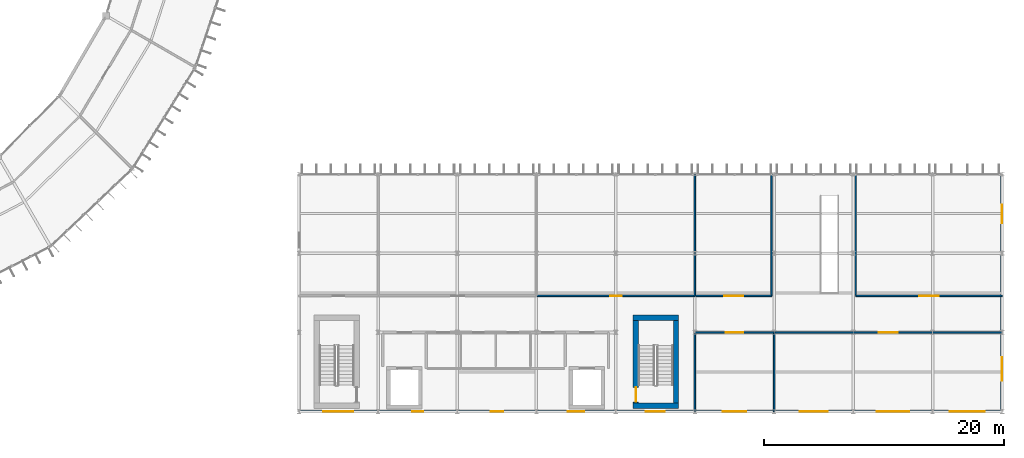
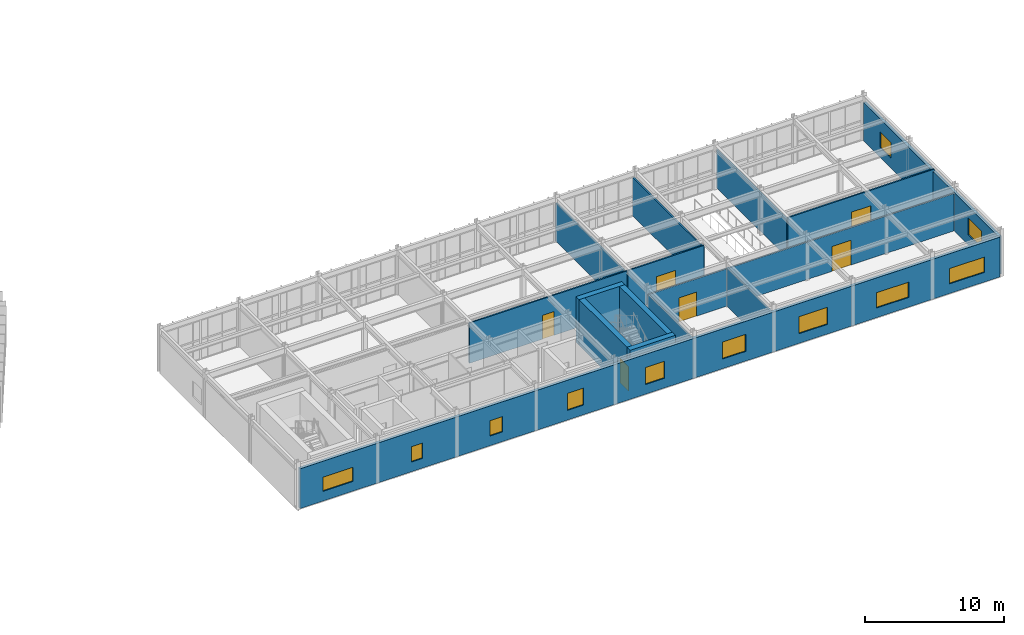
# One storey, part 117 of 130: 16 walls, 11 windows, 6 doors, 17 openings.
"""IFC4 building model written with IfcOpenShell, lengths in metres."""

from ifc_helpers import new_model, si_unit, direction, frame, frame_2d, origin, place, context, subcontext, project, spatial, rectangle, extrude, material, layer, layer_set, type_object, element, fill, save


model = new_model("IFC4")

# Units and contexts
model_context = context("Model", 3, precision=1e-05, world=origin(), true_north=direction((0.0, 1.0)))
body_context = subcontext(model_context, "Body", "Model", "MODEL_VIEW")
ifc_project = project(units=[si_unit("LENGTHUNIT", "METRE"), si_unit("AREAUNIT", "SQUARE_METRE"), si_unit("VOLUMEUNIT", "CUBIC_METRE"), si_unit("PLANEANGLEUNIT", "RADIAN"), si_unit("MASSUNIT", "GRAM", prefix="KILO")], contexts=[model_context])

# Site, building, storey
site_placement = place(None, origin())
site = spatial("IfcSite", under=ifc_project, at=site_placement, CompositionType="ELEMENT")
building_placement = place(site_placement, origin())
building = spatial("IfcBuilding", under=site, at=building_placement, Name="Karori Crest Natural Sciences Institute", CompositionType="ELEMENT")
storey_placement = place(building_placement, frame((0.0, 0.0, 17.5)))
storey = spatial("IfcBuildingStorey", under=building, at=storey_placement, Name="L04", CompositionType="ELEMENT", Elevation=17.5)

# Walls
ifc_material_1 = material(Name="Concrete 50 MPa", Category="concrete")
ifc_layer_1 = layer(ifc_material_1, 0.449951171875, Name="Concrete 50 MPa")
ifc_layer_set_1 = layer_set([ifc_layer_1], Name="Concrete 50 MPa")
wall_type_1 = type_object("IfcWallType", Name="IWT-01", PredefinedType="SHEAR", material=ifc_layer_set_1)
for number, where, z_axis, x_axis, name in (
    (1, (131.449951171875, 1.27490234375, 0.0), (0.0, 0.0, 1.0), (1.0, 0.0, 0.0), "Shear wall IW-0137"),
    (2, (131.449951171875, 8.625, 0.0), (0.0, 0.0, 1.0), (1.0, 0.0, 0.0), "Shear wall IW-0138"),
):
    element("IfcWall", number, at=place(storey_placement, frame(where, z_axis=z_axis, x_axis=x_axis)), inside=storey, type_object=wall_type_1, Name=name, PredefinedType="SHEAR", context=body_context, shape_type="SweptSolid", body=[
        extrude(rectangle(XDim=3.800048828125, YDim=0.449951171875, at=frame_2d((1.89990234375, 0.0))), origin(), (0.0, 0.0, 1.0), 4.02001953125),
    ])

# Wall, opening, door
wall_1_placement = place(storey_placement, frame((131.675048828125, 1.501953125, 0.0), z_axis=(0.0, 0.0, 1.0), x_axis=(0.0, 1.0, 0.0)))
wall_1 = element("IfcWall", 3, at=wall_1_placement, inside=storey, type_object=wall_type_1, Name="Shear wall IW-0139", PredefinedType="SHEAR", context=body_context, shape_type="SweptSolid", body=[
    extrude(rectangle(XDim=6.89599609375, YDim=0.449951171875, at=frame_2d((3.447998046875, 0.0))), origin(), (0.0, 0.0, 1.0), 4.02001953125),
])
opening_1_placement = place(wall_1_placement, frame((0.1201171875, 0.0, 0.0)))
opening_1 = element("IfcOpeningElement", 4, at=opening_1_placement, cuts=wall_1, Name="Opening ID-0035", PredefinedType="OPENING", context=body_context, shape_type="SweptSolid", body=[
    extrude(rectangle(XDim=1.199951171875, YDim=2.14990234375, at=frame_2d((0.60009765625, 1.074951171875))), frame((0.0, 0.23486328125, 0.0), z_axis=(0.0, -1.0, 0.0), x_axis=(1.0, 0.0, 0.0)), (0.0, 0.0, 1.0), 0.469970703125),
])
ifc_material_2 = material(Name="Stainless steel 316 and fire-rated timber", Category="steel")
door_type_1 = type_object("IfcDoorType", Name="IDT-01", OperationType="NOTDEFINED", PredefinedType="DOOR", material=ifc_material_2)
door_1_placement = place(opening_1_placement, origin())
door_1 = element("IfcDoor", 5, at=door_1_placement, inside=storey, type_object=door_type_1, Name="Stair ST-04 fire door ID-0035", OperationType="SINGLE_SWING_LEFT", OverallHeight=2.14990234375, OverallWidth=1.199951171875, PredefinedType="DOOR", context=body_context, shape_type="SweptSolid", body=[
    extrude(rectangle(XDim=1.199951171875, YDim=2.14990234375, at=frame_2d((0.60009765625, 1.074951171875))), frame((0.0, 0.02490234375, 0.0), z_axis=(0.0, -1.0, 0.0), x_axis=(1.0, 0.0, 0.0)), (0.0, 0.0, 1.0), 0.050048828125),
])
fill(opening_1, door_1)

# Wall
wall_2_placement = place(storey_placement, frame((135.02490234375, 1.501953125, 0.0), z_axis=(0.0, 0.0, 1.0), x_axis=(0.0, 1.0, 0.0)))
element("IfcWall", 6, at=wall_2_placement, inside=storey, type_object=wall_type_1, Name="Shear wall IW-0140", PredefinedType="SHEAR", context=body_context, shape_type="SweptSolid", body=[
    extrude(rectangle(XDim=6.89599609375, YDim=0.449951171875, at=frame_2d((3.447998046875, 0.0))), origin(), (0.0, 0.0, 1.0), 4.02001953125),
])

# Wall, opening, door
ifc_material_3 = material(Name="Write-up office acoustic partition")
ifc_layer_2 = layer(ifc_material_3, 0.1201171875, Name="Write-up office acoustic partition")
ifc_layer_set_2 = layer_set([ifc_layer_2], Name="Write-up office acoustic partition")
wall_type_2 = type_object("IfcWallType", Name="IWT-08", PredefinedType="PARTITIONING", material=ifc_layer_set_2)
wall_3_placement = place(storey_placement, frame((136.60009765625, 7.39990234375, 0.0), z_axis=(0.0, 0.0, 1.0), x_axis=(1.0, 0.0, 0.0)))
wall_3 = element("IfcWall", 7, at=wall_3_placement, inside=storey, type_object=wall_type_2, Name="Partition wall IW-0708", PredefinedType="PARTITIONING", context=body_context, shape_type="SweptSolid", body=[
    extrude(rectangle(XDim=6.599853515625, YDim=0.1201171875, at=frame_2d((3.2998046875, 0.0))), origin(), (0.0, 0.0, 1.0), 3.29296875),
])
opening_2_placement = place(wall_3_placement, frame((2.574951171875, 0.0, 0.0)))
opening_2 = element("IfcOpeningElement", 8, at=opening_2_placement, cuts=wall_3, Name="Opening ID-0142", PredefinedType="OPENING", context=body_context, shape_type="SweptSolid", body=[
    extrude(rectangle(XDim=1.449951171875, YDim=2.1201171875, at=frame_2d((0.72509765625, 1.06005859375))), frame((0.0, 0.070068359375, 0.0), z_axis=(0.0, -1.0, 0.0), x_axis=(1.0, 0.0, 0.0)), (0.0, 0.0, 1.0), 0.14013671875),
])
ifc_material_4 = material(Name="Anodised aluminium and acoustic timber", Category="wood")
door_type_2 = type_object("IfcDoorType", Name="IDT-11", OperationType="DOUBLE_DOOR_SINGLE_SWING", PredefinedType="DOOR", material=ifc_material_4)
door_2_placement = place(opening_2_placement, origin())
door_2 = element("IfcDoor", 9, at=door_2_placement, inside=storey, type_object=door_type_2, Name="Seminar Room door ID-0142", OperationType="DOUBLE_DOOR_SINGLE_SWING", OverallHeight=2.1201171875, OverallWidth=1.449951171875, PredefinedType="DOOR", context=body_context, shape_type="SweptSolid", body=[
    extrude(rectangle(XDim=1.449951171875, YDim=2.1201171875, at=frame_2d((0.72509765625, 1.06005859375))), frame((0.0, 0.02490234375, 0.0), z_axis=(0.0, -1.0, 0.0), x_axis=(1.0, 0.0, 0.0)), (0.0, 0.0, 1.0), 0.050048828125),
])
fill(opening_2, door_2)

# Walls
wall_4_placement = place(storey_placement, frame((136.60009765625, 0.800048828125, 0.0), z_axis=(0.0, 0.0, 1.0), x_axis=(0.0, 1.0, 0.0)))
element("IfcWall", 10, at=wall_4_placement, inside=storey, type_object=wall_type_2, Name="Partition wall IW-0709", PredefinedType="PARTITIONING", context=body_context, shape_type="SweptSolid", body=[
    extrude(rectangle(XDim=6.537841796875, YDim=0.1201171875, at=frame_2d((3.26904296875, 0.0))), origin(), (0.0, 0.0, 1.0), 3.3720703125),
])
wall_5_placement = place(storey_placement, frame((143.199951171875, 0.800048828125, 0.0), z_axis=(0.0, 0.0, 1.0), x_axis=(0.0, 1.0, 0.0)))
element("IfcWall", 11, at=wall_5_placement, inside=storey, type_object=wall_type_2, Name="Partition wall IW-0710", PredefinedType="PARTITIONING", context=body_context, shape_type="SweptSolid", body=[
    extrude(rectangle(XDim=6.599853515625, YDim=0.1201171875, at=frame_2d((3.2998046875, 0.0))), origin(), (0.0, 0.0, 1.0), 3.3720703125),
])

# Wall, opening, door
wall_6_placement = place(storey_placement, frame((143.201904296875, 7.39990234375, 0.0), z_axis=(0.0, 0.0, 1.0), x_axis=(1.0, 0.0, 0.0)))
wall_6 = element("IfcWall", 12, at=wall_6_placement, inside=storey, type_object=wall_type_2, Name="Partition wall IW-0711", PredefinedType="PARTITIONING", context=body_context, shape_type="SweptSolid", body=[
    extrude(rectangle(XDim=18.998046875, YDim=0.1201171875, at=frame_2d((9.4990234375, 0.0))), origin(), (0.0, 0.0, 1.0), 3.29296875),
])
opening_3_placement = place(wall_6_placement, frame((8.698974609375, 0.0, 0.0)))
opening_3 = element("IfcOpeningElement", 13, at=opening_3_placement, cuts=wall_6, Name="Opening ID-0143", PredefinedType="OPENING", context=body_context, shape_type="SweptSolid", body=[
    extrude(rectangle(XDim=1.60009765625, YDim=2.179931640625, at=frame_2d((0.800048828125, 1.08984375))), frame((0.0, 0.070068359375, 0.0), z_axis=(0.0, -1.0, 0.0), x_axis=(1.0, 0.0, 0.0)), (0.0, 0.0, 1.0), 0.14013671875),
])
door_type_3 = type_object("IfcDoorType", Name="IDT-13", OperationType="DOUBLE_DOOR_SINGLE_SWING", PredefinedType="DOOR", material=ifc_material_4)
door_3_placement = place(opening_3_placement, origin())
door_3 = element("IfcDoor", 14, at=door_3_placement, inside=storey, type_object=door_type_3, Name="Research Library Reading Room door ID-0143", OperationType="DOUBLE_DOOR_SINGLE_SWING", OverallHeight=2.179931640625, OverallWidth=1.60009765625, PredefinedType="DOOR", context=body_context, shape_type="SweptSolid", body=[
    extrude(rectangle(XDim=1.60009765625, YDim=2.179931640625, at=frame_2d((0.800048828125, 1.08984375))), frame((0.0, 0.02490234375, 0.0), z_axis=(0.0, -1.0, 0.0), x_axis=(1.0, 0.0, 0.0)), (0.0, 0.0, 1.0), 0.050048828125),
])
fill(opening_3, door_3)

wall_7_placement = place(storey_placement, frame((123.4619140625, 10.449951171875, 0.0), z_axis=(0.0, 0.0, 1.0), x_axis=(1.0, 0.0, 0.0)))
wall_7 = element("IfcWall", 15, at=wall_7_placement, inside=storey, type_object=wall_type_2, Name="Partition wall IW-0716", PredefinedType="PARTITIONING", context=body_context, shape_type="SweptSolid", body=[
    extrude(rectangle(XDim=13.13818359375, YDim=0.1201171875, at=frame_2d((6.569091796875, 0.0))), origin(), (0.0, 0.0, 1.0), 3.5458984375),
])
opening_4_placement = place(wall_7_placement, frame((6.093994140625, 0.0, 0.0)))
opening_4 = element("IfcOpeningElement", 16, at=opening_4_placement, cuts=wall_7, Name="Opening ID-0146", PredefinedType="OPENING", context=body_context, shape_type="SweptSolid", body=[
    extrude(rectangle(XDim=0.949951171875, YDim=2.10009765625, at=frame_2d((0.47509765625, 1.050048828125))), frame((0.0, 0.070068359375, 0.0), z_axis=(0.0, -1.0, 0.0), x_axis=(1.0, 0.0, 0.0)), (0.0, 0.0, 1.0), 0.14013671875),
])
door_type_4 = type_object("IfcDoorType", Name="IDT-08", OperationType="NOTDEFINED", PredefinedType="DOOR", material=ifc_material_4)
door_4_placement = place(opening_4_placement, origin())
door_4 = element("IfcDoor", 17, at=door_4_placement, inside=storey, type_object=door_type_4, Name="Bioinformatics Studio door ID-0146", OperationType="SINGLE_SWING_RIGHT", OverallHeight=2.10009765625, OverallWidth=0.949951171875, PredefinedType="DOOR", context=body_context, shape_type="SweptSolid", body=[
    extrude(rectangle(XDim=0.949951171875, YDim=2.10009765625, at=frame_2d((0.47509765625, 1.050048828125))), frame((0.0, 0.02490234375, 0.0), z_axis=(0.0, -1.0, 0.0), x_axis=(1.0, 0.0, 0.0)), (0.0, 0.0, 1.0), 0.050048828125),
])
fill(opening_4, door_4)

# Wall
wall_8_placement = place(storey_placement, frame((136.60009765625, 10.449951171875, 0.0), z_axis=(0.0, 0.0, 1.0), x_axis=(0.0, 1.0, 0.0)))
element("IfcWall", 18, at=wall_8_placement, inside=storey, type_object=wall_type_2, Name="Partition wall IW-0717", PredefinedType="PARTITIONING", context=body_context, shape_type="SweptSolid", body=[
    extrude(rectangle(XDim=10.150146484375, YDim=0.1201171875, at=frame_2d((5.0751953125, 0.0))), origin(), (0.0, 0.0, 1.0), 3.3720703125),
])

# Wall, opening, door
wall_9_placement = place(storey_placement, frame((136.662109375, 10.449951171875, 0.0), z_axis=(0.0, 0.0, 1.0), x_axis=(1.0, 0.0, 0.0)))
wall_9 = element("IfcWall", 19, at=wall_9_placement, inside=storey, type_object=wall_type_2, Name="Partition wall IW-0718", PredefinedType="PARTITIONING", context=body_context, shape_type="SweptSolid", body=[
    extrude(rectangle(XDim=6.337890625, YDim=0.1201171875, at=frame_2d((3.1689453125, 0.0))), origin(), (0.0, 0.0, 1.0), 3.5458984375),
])
opening_5_placement = place(wall_9_placement, frame((2.368896484375, 0.0, 0.0)))
opening_5 = element("IfcOpeningElement", 20, at=opening_5_placement, cuts=wall_9, Name="Opening ID-0147", PredefinedType="OPENING", context=body_context, shape_type="SweptSolid", body=[
    extrude(rectangle(XDim=1.60009765625, YDim=2.179931640625, at=frame_2d((0.800048828125, 1.08984375))), frame((0.0, 0.070068359375, 0.0), z_axis=(0.0, -1.0, 0.0), x_axis=(1.0, 0.0, 0.0)), (0.0, 0.0, 1.0), 0.14013671875),
])
door_5_placement = place(opening_5_placement, origin())
door_5 = element("IfcDoor", 21, at=door_5_placement, inside=storey, type_object=door_type_3, Name="Seminar Room door ID-0147", OperationType="DOUBLE_DOOR_SINGLE_SWING", OverallHeight=2.179931640625, OverallWidth=1.60009765625, PredefinedType="DOOR", context=body_context, shape_type="SweptSolid", body=[
    extrude(rectangle(XDim=1.60009765625, YDim=2.179931640625, at=frame_2d((0.800048828125, 1.08984375))), frame((0.0, 0.02490234375, 0.0), z_axis=(0.0, -1.0, 0.0), x_axis=(1.0, 0.0, 0.0)), (0.0, 0.0, 1.0), 0.050048828125),
])
fill(opening_5, door_5)

# Wall
wall_10_placement = place(storey_placement, frame((143.0, 10.449951171875, 0.0), z_axis=(0.0, 0.0, 1.0), x_axis=(0.0, 1.0, 0.0)))
element("IfcWall", 22, at=wall_10_placement, inside=storey, type_object=wall_type_2, Name="Partition wall IW-0719", PredefinedType="PARTITIONING", context=body_context, shape_type="SweptSolid", body=[
    extrude(rectangle(XDim=10.150146484375, YDim=0.1201171875, at=frame_2d((5.0751953125, 0.0))), origin(), (0.0, 0.0, 1.0), 3.3720703125),
])

# Wall, opening, door
wall_11_placement = place(storey_placement, frame((150.0, 10.449951171875, 0.0), z_axis=(0.0, 0.0, 1.0), x_axis=(1.0, 0.0, 0.0)))
wall_11 = element("IfcWall", 23, at=wall_11_placement, inside=storey, type_object=wall_type_2, Name="Partition wall IW-0720", PredefinedType="PARTITIONING", context=body_context, shape_type="SweptSolid", body=[
    extrude(rectangle(XDim=12.199951171875, YDim=0.1201171875, at=frame_2d((6.10009765625, 0.0))), origin(), (0.0, 0.0, 1.0), 3.5458984375),
])
opening_6_placement = place(wall_11_placement, frame((5.300048828125, 0.0, 0.0)))
opening_6 = element("IfcOpeningElement", 24, at=opening_6_placement, cuts=wall_11, Name="Opening ID-0148", PredefinedType="OPENING", context=body_context, shape_type="SweptSolid", body=[
    extrude(rectangle(XDim=1.60009765625, YDim=2.179931640625, at=frame_2d((0.800048828125, 1.08984375))), frame((0.0, 0.070068359375, 0.0), z_axis=(0.0, -1.0, 0.0), x_axis=(1.0, 0.0, 0.0)), (0.0, 0.0, 1.0), 0.14013671875),
])
door_6_placement = place(opening_6_placement, origin())
door_6 = element("IfcDoor", 25, at=door_6_placement, inside=storey, type_object=door_type_3, Name="Seminar Room door ID-0148", OperationType="DOUBLE_DOOR_SINGLE_SWING", OverallHeight=2.179931640625, OverallWidth=1.60009765625, PredefinedType="DOOR", context=body_context, shape_type="SweptSolid", body=[
    extrude(rectangle(XDim=1.60009765625, YDim=2.179931640625, at=frame_2d((0.800048828125, 1.08984375))), frame((0.0, 0.02490234375, 0.0), z_axis=(0.0, -1.0, 0.0), x_axis=(1.0, 0.0, 0.0)), (0.0, 0.0, 1.0), 0.050048828125),
])
fill(opening_6, door_6)

# Wall
wall_12_placement = place(storey_placement, frame((150.0, 10.511962890625, 0.0), z_axis=(0.0, 0.0, 1.0), x_axis=(0.0, 1.0, 0.0)))
element("IfcWall", 26, at=wall_12_placement, inside=storey, type_object=wall_type_2, Name="Partition wall IW-0721", PredefinedType="PARTITIONING", context=body_context, shape_type="SweptSolid", body=[
    extrude(rectangle(XDim=10.088134765625, YDim=0.1201171875, at=frame_2d((5.0439453125, 0.0))), origin(), (0.0, 0.0, 1.0), 3.3720703125),
])

# Wall, openings, windows
ifc_material_5 = material(Name="Precast concrete 40 MPa", Category="concrete")
ifc_layer_3 = layer(ifc_material_5, 0.239990234375, Name="Precast concrete 40 MPa")
ifc_layer_set_3 = layer_set([ifc_layer_3], Name="Precast concrete 40 MPa")
wall_type_3 = type_object("IfcWallType", Name="WT-04", PredefinedType="SOLIDWALL", material=ifc_layer_set_3)
wall_13_placement = place(storey_placement, frame((162.199951171875, 20.4384765625, 0.0), z_axis=(0.0, 0.0, 1.0), x_axis=(0.0, -1.0, 0.0)))
wall_13 = element("IfcWall", 27, at=wall_13_placement, inside=storey, type_object=wall_type_3, Name="Exterior wall EW-0207", PredefinedType="SOLIDWALL", context=body_context, shape_type="SweptSolid", body=[
    extrude(rectangle(XDim=19.47705078125, YDim=0.239990234375, at=frame_2d((9.738525390625, 0.0))), origin(), (0.0, 0.0, 1.0), 3.3720703125),
])
opening_7_placement = place(wall_13_placement, frame((2.39990234375, 0.0, 0.85009765625)))
opening_7 = element("IfcOpeningElement", 28, at=opening_7_placement, cuts=wall_13, Name="Opening WN-0169", PredefinedType="OPENING", context=body_context, shape_type="SweptSolid", body=[
    extrude(rectangle(XDim=1.550048828125, YDim=1.39990234375, at=frame_2d((0.77490234375, 0.699951171875))), frame((0.0, 0.1298828125, 0.0), z_axis=(0.0, -1.0, 0.0), x_axis=(1.0, 0.0, 0.0)), (0.0, 0.0, 1.0), 0.260009765625),
])
opening_8_placement = place(wall_13_placement, frame((15.10009765625, 0.0, 0.85009765625)))
opening_8 = element("IfcOpeningElement", 29, at=opening_8_placement, cuts=wall_13, Name="Opening WN-0170", PredefinedType="OPENING", context=body_context, shape_type="SweptSolid", body=[
    extrude(rectangle(XDim=1.949951171875, YDim=1.5, at=frame_2d((0.97509765625, 0.75))), frame((0.0, 0.1298828125, 0.0), z_axis=(0.0, -1.0, 0.0), x_axis=(1.0, 0.0, 0.0)), (0.0, 0.0, 1.0), 0.260009765625),
])
ifc_material_6 = material(Name="Double low-E laminated glass", Category="glass")
window_type_1 = type_object("IfcWindowType", Name="WNT-04", PartitioningType="SINGLE_PANEL", PredefinedType="WINDOW", material=ifc_material_6)
window_1_placement = place(opening_7_placement, origin())
window_1 = element("IfcWindow", 30, at=window_1_placement, inside=storey, type_object=window_type_1, Name="Window WN-0169", OverallHeight=1.39990234375, OverallWidth=1.550048828125, PartitioningType="SINGLE_PANEL", PredefinedType="WINDOW", context=body_context, shape_type="SweptSolid", body=[
    extrude(rectangle(XDim=1.550048828125, YDim=1.39990234375, at=frame_2d((0.77490234375, 0.699951171875))), frame((0.0, 0.030029296875, 0.0), z_axis=(0.0, -1.0, 0.0), x_axis=(1.0, 0.0, 0.0)), (0.0, 0.0, 1.0), 0.06005859375),
])
fill(opening_7, window_1)
window_type_2 = type_object("IfcWindowType", Name="WNT-21", PartitioningType="SINGLE_PANEL", PredefinedType="WINDOW", material=ifc_material_6)
window_2_placement = place(opening_8_placement, origin())
window_2 = element("IfcWindow", 31, at=window_2_placement, inside=storey, type_object=window_type_2, Name="Window WN-0170", OverallHeight=1.5, OverallWidth=1.949951171875, PartitioningType="SINGLE_PANEL", PredefinedType="WINDOW", context=body_context, shape_type="SweptSolid", body=[
    extrude(rectangle(XDim=1.949951171875, YDim=1.5, at=frame_2d((0.97509765625, 0.75))), frame((0.0, 0.030029296875, 0.0), z_axis=(0.0, -1.0, 0.0), x_axis=(1.0, 0.0, 0.0)), (0.0, 0.0, 1.0), 0.06005859375),
])
fill(opening_8, window_2)

wall_14_placement = place(storey_placement, frame((162.04638671875, 0.800048828125, 0.0), z_axis=(0.0, 0.0, 1.0), x_axis=(-1.0, 0.0, 0.0)))
wall_14 = element("IfcWall", 32, at=wall_14_placement, inside=storey, type_object=wall_type_3, Name="Exterior wall EW-0208", PredefinedType="SOLIDWALL", context=body_context, shape_type="SweptSolid", body=[
    extrude(rectangle(XDim=58.29296875, YDim=0.239990234375, at=frame_2d((29.146484375, 0.0))), origin(), (0.0, 0.0, 1.0), 3.5048828125),
])
opening_9_placement = place(wall_14_placement, frame((53.896484375, 0.0, 0.85009765625)))
opening_9 = element("IfcOpeningElement", 33, at=opening_9_placement, cuts=wall_14, Name="Opening WN-0171", PredefinedType="OPENING", context=body_context, shape_type="SweptSolid", body=[
    extrude(rectangle(XDim=2.5, YDim=1.25, at=frame_2d((1.25, 0.625))), frame((0.0, 0.1298828125, 0.0), z_axis=(0.0, -1.0, 0.0), x_axis=(1.0, 0.0, 0.0)), (0.0, 0.0, 1.0), 0.260009765625),
])
opening_10_placement = place(wall_14_placement, frame((48.096435546875, 0.0, 0.85009765625)))
opening_10 = element("IfcOpeningElement", 34, at=opening_10_placement, cuts=wall_14, Name="Opening WN-0172", PredefinedType="OPENING", context=body_context, shape_type="SweptSolid", body=[
    extrude(rectangle(XDim=0.89990234375, YDim=1.35009765625, at=frame_2d((0.449951171875, 0.675048828125))), frame((0.0, 0.1298828125, 0.0), z_axis=(0.0, -1.0, 0.0), x_axis=(1.0, 0.0, 0.0)), (0.0, 0.0, 1.0), 0.260009765625),
])
opening_11_placement = place(wall_14_placement, frame((41.42138671875, 0.0, 0.85009765625)))
opening_11 = element("IfcOpeningElement", 35, at=opening_11_placement, cuts=wall_14, Name="Opening WN-0173", PredefinedType="OPENING", context=body_context, shape_type="SweptSolid", body=[
    extrude(rectangle(XDim=1.050048828125, YDim=1.35009765625, at=frame_2d((0.52490234375, 0.675048828125))), frame((0.0, 0.1298828125, 0.0), z_axis=(0.0, -1.0, 0.0), x_axis=(1.0, 0.0, 0.0)), (0.0, 0.0, 1.0), 0.260009765625),
])
opening_12_placement = place(wall_14_placement, frame((34.67138671875, 0.0, 0.85009765625)))
opening_12 = element("IfcOpeningElement", 36, at=opening_12_placement, cuts=wall_14, Name="Opening WN-0174", PredefinedType="OPENING", context=body_context, shape_type="SweptSolid", body=[
    extrude(rectangle(XDim=1.35009765625, YDim=1.5, at=frame_2d((0.675048828125, 0.75))), frame((0.0, 0.1298828125, 0.0), z_axis=(0.0, -1.0, 0.0), x_axis=(1.0, 0.0, 0.0)), (0.0, 0.0, 1.0), 0.260009765625),
])
opening_13_placement = place(wall_14_placement, frame((27.946533203125, 0.0, 0.85009765625)))
opening_13 = element("IfcOpeningElement", 37, at=opening_13_placement, cuts=wall_14, Name="Opening WN-0175", PredefinedType="OPENING", context=body_context, shape_type="SweptSolid", body=[
    extrude(rectangle(XDim=1.60009765625, YDim=1.5, at=frame_2d((0.800048828125, 0.75))), frame((0.0, 0.1298828125, 0.0), z_axis=(0.0, -1.0, 0.0), x_axis=(1.0, 0.0, 0.0)), (0.0, 0.0, 1.0), 0.260009765625),
])
opening_14_placement = place(wall_14_placement, frame((21.17138671875, 0.0, 0.85009765625)))
opening_14 = element("IfcOpeningElement", 38, at=opening_14_placement, cuts=wall_14, Name="Opening WN-0176", PredefinedType="OPENING", context=body_context, shape_type="SweptSolid", body=[
    extrude(rectangle(XDim=1.949951171875, YDim=1.5, at=frame_2d((0.97509765625, 0.75))), frame((0.0, 0.1298828125, 0.0), z_axis=(0.0, -1.0, 0.0), x_axis=(1.0, 0.0, 0.0)), (0.0, 0.0, 1.0), 0.260009765625),
])
opening_15_placement = place(wall_14_placement, frame((14.37158203125, 0.0, 0.85009765625)))
opening_15 = element("IfcOpeningElement", 39, at=opening_15_placement, cuts=wall_14, Name="Opening WN-0177", PredefinedType="OPENING", context=body_context, shape_type="SweptSolid", body=[
    extrude(rectangle(XDim=2.35009765625, YDim=1.5, at=frame_2d((1.175048828125, 0.75))), frame((0.0, 0.1298828125, 0.0), z_axis=(0.0, -1.0, 0.0), x_axis=(1.0, 0.0, 0.0)), (0.0, 0.0, 1.0), 0.260009765625),
])
opening_16_placement = place(wall_14_placement, frame((7.596435546875, 0.0, 0.85009765625)))
opening_16 = element("IfcOpeningElement", 40, at=opening_16_placement, cuts=wall_14, Name="Opening WN-0178", PredefinedType="OPENING", context=body_context, shape_type="SweptSolid", body=[
    extrude(rectangle(XDim=2.699951171875, YDim=1.35009765625, at=frame_2d((1.35009765625, 0.675048828125))), frame((0.0, 0.1298828125, 0.0), z_axis=(0.0, -1.0, 0.0), x_axis=(1.0, 0.0, 0.0)), (0.0, 0.0, 1.0), 0.260009765625),
])
opening_17_placement = place(wall_14_placement, frame((1.29638671875, 0.0, 0.85009765625)))
opening_17 = element("IfcOpeningElement", 41, at=opening_17_placement, cuts=wall_14, Name="Opening WN-0179", PredefinedType="OPENING", context=body_context, shape_type="SweptSolid", body=[
    extrude(rectangle(XDim=2.89990234375, YDim=1.35009765625, at=frame_2d((1.449951171875, 0.675048828125))), frame((0.0, 0.1298828125, 0.0), z_axis=(0.0, -1.0, 0.0), x_axis=(1.0, 0.0, 0.0)), (0.0, 0.0, 1.0), 0.260009765625),
])
window_type_3 = type_object("IfcWindowType", Name="WNT-16", PartitioningType="SINGLE_PANEL", PredefinedType="WINDOW", material=ifc_material_6)
window_3_placement = place(opening_9_placement, origin())
window_3 = element("IfcWindow", 42, at=window_3_placement, inside=storey, type_object=window_type_3, Name="Window WN-0171", OverallHeight=1.25, OverallWidth=2.5, PartitioningType="SINGLE_PANEL", PredefinedType="WINDOW", context=body_context, shape_type="SweptSolid", body=[
    extrude(rectangle(XDim=2.5, YDim=1.25, at=frame_2d((1.25, 0.625))), frame((0.0, 0.030029296875, 0.0), z_axis=(0.0, -1.0, 0.0), x_axis=(1.0, 0.0, 0.0)), (0.0, 0.0, 1.0), 0.06005859375),
])
fill(opening_9, window_3)
window_type_4 = type_object("IfcWindowType", Name="WNT-17", PartitioningType="SINGLE_PANEL", PredefinedType="WINDOW", material=ifc_material_6)
window_4_placement = place(opening_10_placement, origin())
window_4 = element("IfcWindow", 43, at=window_4_placement, inside=storey, type_object=window_type_4, Name="Window WN-0172", OverallHeight=1.35009765625, OverallWidth=0.89990234375, PartitioningType="SINGLE_PANEL", PredefinedType="WINDOW", context=body_context, shape_type="SweptSolid", body=[
    extrude(rectangle(XDim=0.89990234375, YDim=1.35009765625, at=frame_2d((0.449951171875, 0.675048828125))), frame((0.0, 0.030029296875, 0.0), z_axis=(0.0, -1.0, 0.0), x_axis=(1.0, 0.0, 0.0)), (0.0, 0.0, 1.0), 0.06005859375),
])
fill(opening_10, window_4)
window_type_5 = type_object("IfcWindowType", Name="WNT-18", PartitioningType="SINGLE_PANEL", PredefinedType="WINDOW", material=ifc_material_6)
window_5_placement = place(opening_11_placement, origin())
window_5 = element("IfcWindow", 44, at=window_5_placement, inside=storey, type_object=window_type_5, Name="Window WN-0173", OverallHeight=1.35009765625, OverallWidth=1.050048828125, PartitioningType="SINGLE_PANEL", PredefinedType="WINDOW", context=body_context, shape_type="SweptSolid", body=[
    extrude(rectangle(XDim=1.050048828125, YDim=1.35009765625, at=frame_2d((0.52490234375, 0.675048828125))), frame((0.0, 0.030029296875, 0.0), z_axis=(0.0, -1.0, 0.0), x_axis=(1.0, 0.0, 0.0)), (0.0, 0.0, 1.0), 0.06005859375),
])
fill(opening_11, window_5)
window_type_6 = type_object("IfcWindowType", Name="WNT-19", PartitioningType="SINGLE_PANEL", PredefinedType="WINDOW", material=ifc_material_6)
window_6_placement = place(opening_12_placement, origin())
window_6 = element("IfcWindow", 45, at=window_6_placement, inside=storey, type_object=window_type_6, Name="Window WN-0174", OverallHeight=1.5, OverallWidth=1.35009765625, PartitioningType="SINGLE_PANEL", PredefinedType="WINDOW", context=body_context, shape_type="SweptSolid", body=[
    extrude(rectangle(XDim=1.35009765625, YDim=1.5, at=frame_2d((0.675048828125, 0.75))), frame((0.0, 0.030029296875, 0.0), z_axis=(0.0, -1.0, 0.0), x_axis=(1.0, 0.0, 0.0)), (0.0, 0.0, 1.0), 0.06005859375),
])
fill(opening_12, window_6)
window_type_7 = type_object("IfcWindowType", Name="WNT-20", PartitioningType="SINGLE_PANEL", PredefinedType="WINDOW", material=ifc_material_6)
window_7_placement = place(opening_13_placement, origin())
window_7 = element("IfcWindow", 46, at=window_7_placement, inside=storey, type_object=window_type_7, Name="Window WN-0175", OverallHeight=1.5, OverallWidth=1.60009765625, PartitioningType="SINGLE_PANEL", PredefinedType="WINDOW", context=body_context, shape_type="SweptSolid", body=[
    extrude(rectangle(XDim=1.60009765625, YDim=1.5, at=frame_2d((0.800048828125, 0.75))), frame((0.0, 0.030029296875, 0.0), z_axis=(0.0, -1.0, 0.0), x_axis=(1.0, 0.0, 0.0)), (0.0, 0.0, 1.0), 0.06005859375),
])
fill(opening_13, window_7)
window_8_placement = place(opening_14_placement, origin())
window_8 = element("IfcWindow", 47, at=window_8_placement, inside=storey, type_object=window_type_2, Name="Window WN-0176", OverallHeight=1.5, OverallWidth=1.949951171875, PartitioningType="SINGLE_PANEL", PredefinedType="WINDOW", context=body_context, shape_type="SweptSolid", body=[
    extrude(rectangle(XDim=1.949951171875, YDim=1.5, at=frame_2d((0.97509765625, 0.75))), frame((0.0, 0.030029296875, 0.0), z_axis=(0.0, -1.0, 0.0), x_axis=(1.0, 0.0, 0.0)), (0.0, 0.0, 1.0), 0.06005859375),
])
fill(opening_14, window_8)
window_type_8 = type_object("IfcWindowType", Name="WNT-22", PartitioningType="SINGLE_PANEL", PredefinedType="WINDOW", material=ifc_material_6)
window_9_placement = place(opening_15_placement, origin())
window_9 = element("IfcWindow", 48, at=window_9_placement, inside=storey, type_object=window_type_8, Name="Window WN-0177", OverallHeight=1.5, OverallWidth=2.35009765625, PartitioningType="SINGLE_PANEL", PredefinedType="WINDOW", context=body_context, shape_type="SweptSolid", body=[
    extrude(rectangle(XDim=2.35009765625, YDim=1.5, at=frame_2d((1.175048828125, 0.75))), frame((0.0, 0.030029296875, 0.0), z_axis=(0.0, -1.0, 0.0), x_axis=(1.0, 0.0, 0.0)), (0.0, 0.0, 1.0), 0.06005859375),
])
fill(opening_15, window_9)
window_type_9 = type_object("IfcWindowType", Name="WNT-23", PartitioningType="SINGLE_PANEL", PredefinedType="WINDOW", material=ifc_material_6)
window_10_placement = place(opening_16_placement, origin())
window_10 = element("IfcWindow", 49, at=window_10_placement, inside=storey, type_object=window_type_9, Name="Window WN-0178", OverallHeight=1.35009765625, OverallWidth=2.699951171875, PartitioningType="SINGLE_PANEL", PredefinedType="WINDOW", context=body_context, shape_type="SweptSolid", body=[
    extrude(rectangle(XDim=2.699951171875, YDim=1.35009765625, at=frame_2d((1.35009765625, 0.675048828125))), frame((0.0, 0.030029296875, 0.0), z_axis=(0.0, -1.0, 0.0), x_axis=(1.0, 0.0, 0.0)), (0.0, 0.0, 1.0), 0.06005859375),
])
fill(opening_16, window_10)
window_type_10 = type_object("IfcWindowType", Name="WNT-24", PartitioningType="SINGLE_PANEL", PredefinedType="WINDOW", material=ifc_material_6)
window_11_placement = place(opening_17_placement, origin())
window_11 = element("IfcWindow", 50, at=window_11_placement, inside=storey, type_object=window_type_10, Name="Window WN-0179", OverallHeight=1.35009765625, OverallWidth=2.89990234375, PartitioningType="SINGLE_PANEL", PredefinedType="WINDOW", context=body_context, shape_type="SweptSolid", body=[
    extrude(rectangle(XDim=2.89990234375, YDim=1.35009765625, at=frame_2d((1.449951171875, 0.675048828125))), frame((0.0, 0.030029296875, 0.0), z_axis=(0.0, -1.0, 0.0), x_axis=(1.0, 0.0, 0.0)), (0.0, 0.0, 1.0), 0.06005859375),
])
fill(opening_17, window_11)

save(model, "model.ifc")
